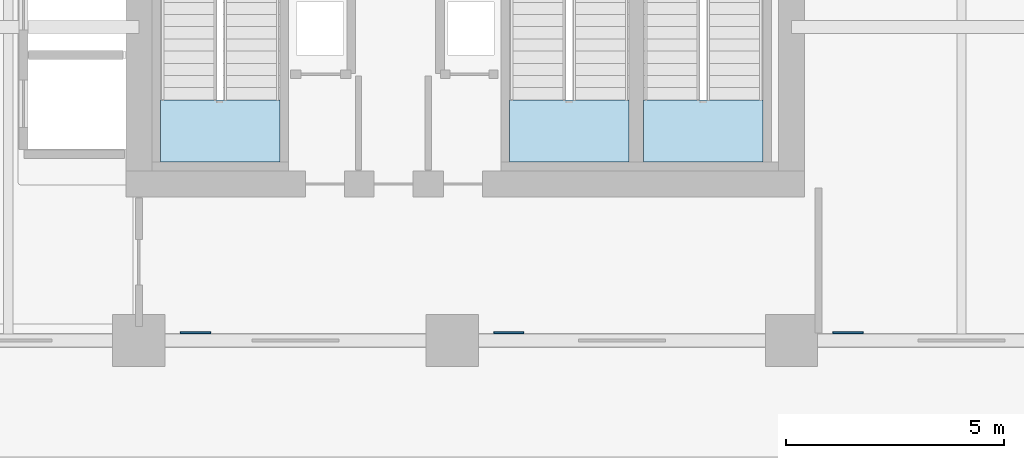
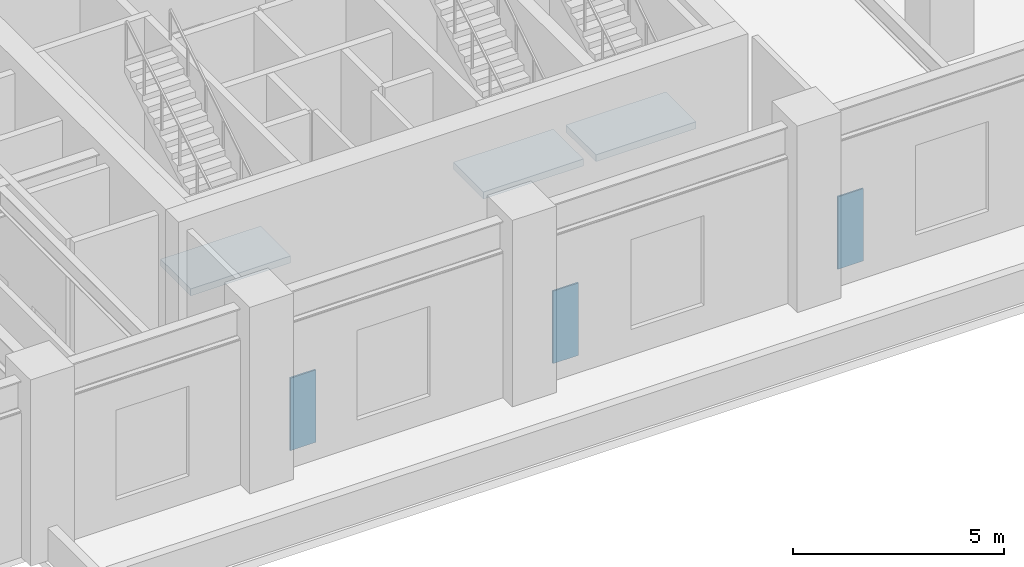
# One storey, part 6 of 20: 3 plates, 3 slabs, 3 elements without a shape of their own.
"""IFC4 building model written with IfcOpenShell, lengths in metres."""

from ifc_helpers import new_model, si_unit, derived_unit, direction, frame, origin, origin_2d, place, context, subcontext, project, spatial, polyline, rectangle, outline, extrude, source, transform, mapped, material, layer, layer_set, type_object, type_shapes, element, aggregate, save


model = new_model("IFC4")

# Units and contexts
model_context = context("Model", 3, precision=1e-05, world=origin(), true_north=direction((0.0, 1.0)))
body_context = subcontext(model_context, "Body", "Model", "MODEL_VIEW")
ifc_project = project(units=[si_unit("LENGTHUNIT", "METRE"), si_unit("AREAUNIT", "SQUARE_METRE"), si_unit("VOLUMEUNIT", "CUBIC_METRE"), si_unit("PLANEANGLEUNIT", "RADIAN"), si_unit("MASSUNIT", "GRAM", prefix="KILO"), si_unit("THERMODYNAMICTEMPERATUREUNIT", "KELVIN"), si_unit("POWERUNIT", "WATT"), derived_unit("THERMALTRANSMITTANCEUNIT", [(si_unit("POWERUNIT", "WATT"), 1), (si_unit("AREAUNIT", "SQUARE_METRE"), -1), (si_unit("THERMODYNAMICTEMPERATUREUNIT", "KELVIN"), -1)])], contexts=[model_context])

# Site, building, storey
site_placement = place(None, origin())
site = spatial("IfcSite", under=ifc_project, at=site_placement, CompositionType="ELEMENT")
building_placement = place(site_placement, origin())
building = spatial("IfcBuilding", under=site, at=building_placement, Name="Zahravan Archway Hotel and Residences", CompositionType="ELEMENT")
storey_placement = place(building_placement, frame((0.0, 0.0, 16.199951171875)))
storey = spatial("IfcBuildingStorey", under=building, at=storey_placement, Name="L03", CompositionType="ELEMENT", Elevation=16.199951171875)

# Stair, slab
ifc_material_1 = material(Name="Concrete C50/60", Category="concrete")
stair_type = type_object("IfcStairType", Name="STR-CORE-1300", PredefinedType="HALF_TURN_STAIR", material=ifc_material_1)
stair_1_placement = place(storey_placement, origin())
stair_1 = element("IfcStair", 1, at=stair_1_placement, inside=storey, type_object=stair_type, Name="L03 Core A Exit Stair 1", PredefinedType="HALF_TURN_STAIR")
ifc_layer_1 = layer(ifc_material_1, 0.199951171875, Name="Concrete C50/60", Category="concrete")
ifc_layer_set_1 = layer_set([ifc_layer_1], Name="Concrete C50/60")
slab_type = type_object("IfcSlabType", Name="SLB-LND-200", PredefinedType="LANDING", material=ifc_layer_set_1)
slab_1_placement = place(storey_placement, frame((0.0, 0.0, 2.5)))
slab_1 = element("IfcSlab", 2, at=slab_1_placement, type_object=slab_type, Name="ST-A1 landing 1", PredefinedType="LANDING", context=body_context, shape_type="SweptSolid", body=[
    extrude(outline(polyline([(35.300048828125, 5.530029296875), (35.300048828125, 4.10009765625), (38.0400390625, 4.10009765625), (38.0400390625, 5.530029296875), (35.300048828125, 5.530029296875)])), origin(), (0.0, 0.0, 1.0), 0.199951171875),
])
aggregate(stair_1, [slab_1])

stair_2_placement = place(storey_placement, origin())
stair_2 = element("IfcStair", 3, at=stair_2_placement, inside=storey, type_object=stair_type, Name="L03 Core A Exit Stair 2", PredefinedType="HALF_TURN_STAIR")
slab_2_placement = place(storey_placement, frame((0.0, 0.0, 2.5)))
slab_2 = element("IfcSlab", 4, at=slab_2_placement, type_object=slab_type, Name="ST-A2 landing 1", PredefinedType="LANDING", context=body_context, shape_type="SweptSolid", body=[
    extrude(outline(polyline([(43.320068359375, 5.530029296875), (43.320068359375, 4.10009765625), (46.06005859375, 4.10009765625), (46.06005859375, 5.530029296875), (43.320068359375, 5.530029296875)])), origin(), (0.0, 0.0, 1.0), 0.199951171875),
])
aggregate(stair_2, [slab_2])

stair_3_placement = place(storey_placement, origin())
stair_3 = element("IfcStair", 5, at=stair_3_placement, inside=storey, type_object=stair_type, Name="L03 Core A Exit Stair 3", PredefinedType="HALF_TURN_STAIR")
slab_3_placement = place(storey_placement, frame((0.0, 0.0, 2.5)))
slab_3 = element("IfcSlab", 6, at=slab_3_placement, type_object=slab_type, Name="ST-A3 landing 1", PredefinedType="LANDING", context=body_context, shape_type="SweptSolid", body=[
    extrude(outline(polyline([(46.39990234375, 5.530029296875), (46.39990234375, 4.10009765625), (49.139892578125, 4.10009765625), (49.139892578125, 5.530029296875), (46.39990234375, 5.530029296875)])), origin(), (0.0, 0.0, 1.0), 0.199951171875),
])
aggregate(stair_3, [slab_3])

# Plates
ifc_material_2 = material(Name="Perforated Cast Bronze Jali Lattice")
ifc_layer_2 = layer(ifc_material_2, 0.044921875, Name="Perforated Cast Bronze Jali Lattice")
ifc_layer_set_2 = layer_set([ifc_layer_2], Name="Perforated Cast Bronze Jali Lattice")
plate_type = type_object("IfcPlateType", Name="PLT-JALI-BAY", PredefinedType="USERDEFINED", material=ifc_layer_set_2)
shared_shape = source(origin(), body_context, "Body", "SweptSolid", [
    extrude(rectangle(XDim=0.699951171875, YDim=0.044921875, at=origin_2d()), origin(), (0.0, 0.0, 1.0), 2.10009765625),
])
type_shapes(plate_type, [shared_shape])
for number, where, z_axis, x_axis, name in (
    (7, (36.10009765625, 0.177978515625, 0.25), (0.0, 0.0, 1.0), (1.0, 0.0, 0.0), "L03 Podium Mughal Jali Pier Screen 06"),
    (8, (43.300048828125, 0.177978515625, 0.25), (0.0, 0.0, 1.0), (1.0, 0.0, 0.0), "L03 Podium Mughal Jali Pier Screen 07"),
    (9, (51.10009765625, 0.177978515625, 0.25), (0.0, 0.0, 1.0), (1.0, 0.0, 0.0), "L03 Podium Mughal Jali Pier Screen 08"),
):
    element("IfcPlate", number, at=place(storey_placement, frame(where, z_axis=z_axis, x_axis=x_axis)), inside=storey, type_object=plate_type, Name=name, ObjectType="SCREEN", PredefinedType="USERDEFINED", context=body_context, shape_type="MappedRepresentation", body=[
        mapped(shared_shape, transform((0.0, 0.0, 0.0), scale=1.0)),
    ])

save(model, "model.ifc")
